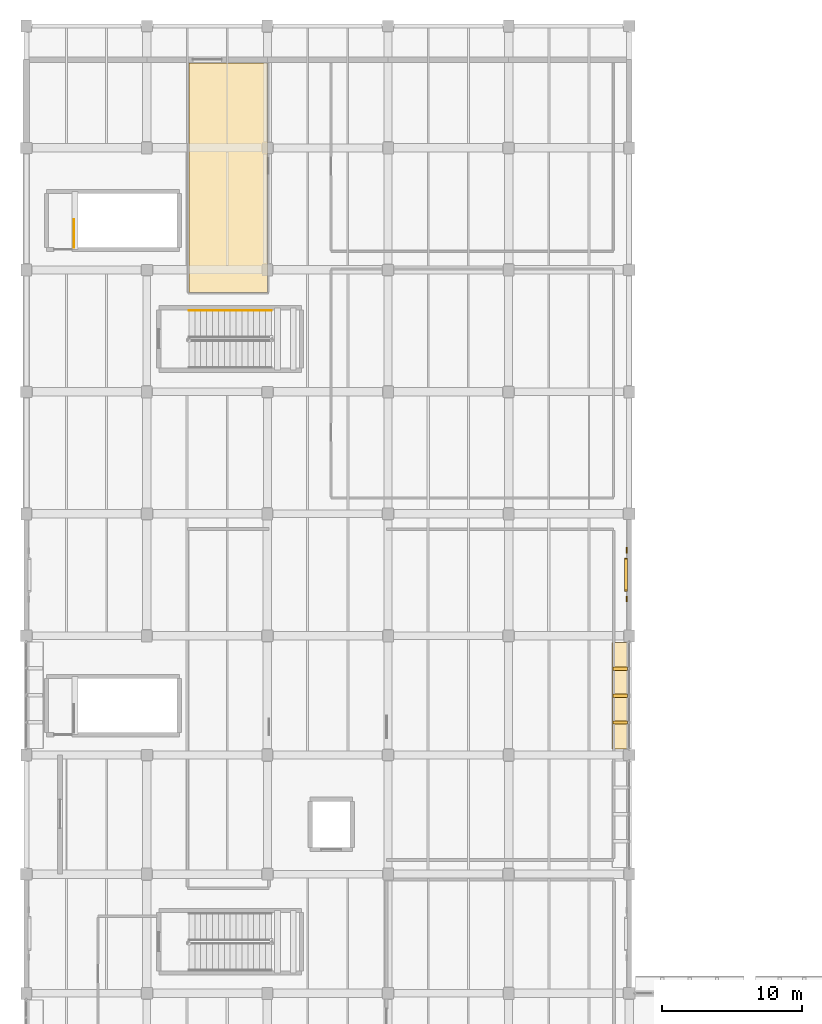
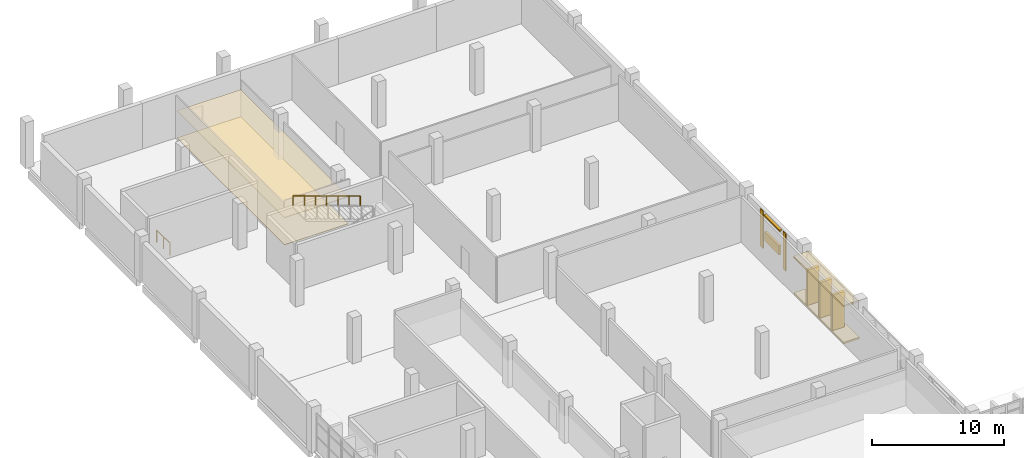
# One storey, part 74 of 76: 6 coverings, 5 shading devices, 2 railings.
"""IFC4 building model written with IfcOpenShell, lengths in metres."""

from ifc_helpers import new_model, si_unit, direction, frame, origin, origin_2d, place, context, subcontext, project, spatial, polyline, rectangle, circle, outline, extrude, material, layer, layer_set, type_object, element, save


model = new_model("IFC4")

# Units and contexts
model_context = context("Model", 3, precision=1e-05, world=origin(), true_north=direction((0.0, 1.0)))
body_context = subcontext(model_context, "Body", "Model", "MODEL_VIEW")
ifc_project = project(units=[si_unit("LENGTHUNIT", "METRE"), si_unit("AREAUNIT", "SQUARE_METRE"), si_unit("VOLUMEUNIT", "CUBIC_METRE"), si_unit("PLANEANGLEUNIT", "RADIAN"), si_unit("MASSUNIT", "GRAM", prefix="KILO")], contexts=[model_context])

# Site, building, storey
site_placement = place(None, origin())
site = spatial("IfcSite", under=ifc_project, at=site_placement, CompositionType="ELEMENT")
building_placement = place(site_placement, origin())
building = spatial("IfcBuilding", under=site, at=building_placement, Name="Varnakota Cinema and Media Centre", CompositionType="ELEMENT")
storey_placement = place(building_placement, origin())
storey = spatial("IfcBuildingStorey", under=building, at=storey_placement, Name="L00", CompositionType="ELEMENT", Elevation=0.0)

# Coverings
ifc_material_1 = material(Name="Autoclaved aerated concrete blockwork", Category="masonry")
ifc_layer_1 = layer(ifc_material_1, 0.06005859375)
ifc_layer_set_1 = layer_set([ifc_layer_1], Name="Autoclaved aerated concrete blockwork")
covering_type_1 = type_object("IfcCoveringType", Name="COV-ACOUST-CEIL-60", PredefinedType="CEILING", material=ifc_layer_set_1)
covering_1_placement = place(storey_placement, frame((0.0, 0.0, 2.5)))
element("IfcCovering", 1, at=covering_1_placement, inside=storey, type_object=covering_type_1, Name="L00 Post-Production Editing Suite Cluster A acoustic baffle ceiling", PredefinedType="CEILING", context=body_context, shape_type="SweptSolid", body=[
    extrude(outline(polyline([(11.60009765625, 94.0), (17.199951171875, 94.0), (17.199951171875, 110.35009765625), (11.60009765625, 110.35009765625), (11.60009765625, 94.0)])), origin(), (0.0, 0.0, 1.0), 0.06005859375),
])
ifc_material_2 = material(Name="Precast concrete M40", Category="concrete")
ifc_layer_2 = layer(ifc_material_2, 0.159912109375)
ifc_layer_set_2 = layer_set([ifc_layer_2], Name="Precast concrete M40")
covering_type_2 = type_object("IfcCoveringType", Name="COV-CHAJJA-160", PredefinedType="CLADDING", material=ifc_layer_set_2)
covering_2_placement = place(storey_placement, frame((0.0, 0.0, 3.425048828125)))
element("IfcCovering", 2, at=covering_2_placement, inside=storey, type_object=covering_type_2, Name="L00 Brutalist chajja overhang V5-E-3", PredefinedType="CLADDING", context=body_context, shape_type="SweptSolid", body=[
    extrude(outline(polyline([(43.179931640625, 61.43994140625), (43.179931640625, 69.034912109375), (41.780029296875, 69.034912109375), (41.780029296875, 61.43994140625), (43.179931640625, 61.43994140625)])), origin(), (0.0, 0.0, 1.0), 0.159912109375),
])
covering_3_placement = place(storey_placement, origin())
element("IfcCovering", 3, at=covering_3_placement, inside=storey, type_object=covering_type_2, Name="L00 brise-soleil base plinth V5-E-3", PredefinedType="CLADDING", context=body_context, shape_type="SweptSolid", body=[
    extrude(outline(polyline([(43.179931640625, 61.43994140625), (43.179931640625, 69.034912109375), (41.820068359375, 69.034912109375), (41.820068359375, 61.43994140625), (43.179931640625, 61.43994140625)])), origin(), (0.0, 0.0, 1.0), 0.159912109375),
])
ifc_material_3 = material(Name="Deccan grey granite ashlar", Category="masonry")
ifc_layer_3 = layer(ifc_material_3, 0.044921875)
ifc_layer_set_3 = layer_set([ifc_layer_3], Name="Deccan grey granite ashlar")
covering_type_3 = type_object("IfcCoveringType", Name="COV-STUDIO-FLR-45", PredefinedType="FLOORING", material=ifc_layer_set_3)
covering_4_placement = place(storey_placement, origin())
element("IfcCovering", 4, at=covering_4_placement, inside=storey, type_object=covering_type_3, Name="L00 Post-Production Editing Suite Cluster A isolated studio floor finish", PredefinedType="FLOORING", context=body_context, shape_type="SweptSolid", body=[
    extrude(outline(polyline([(11.60009765625, 94.0), (17.199951171875, 94.0), (17.199951171875, 110.35009765625), (11.60009765625, 110.35009765625), (11.60009765625, 94.0)])), origin(), (0.0, 0.0, 1.0), 0.044921875),
])
ifc_material_4 = material(Name="Pale Tandur limestone cladding", Category="masonry")
ifc_layer_4 = layer(ifc_material_4, 0.06005859375)
ifc_layer_set_4 = layer_set([ifc_layer_4], Name="Pale Tandur limestone cladding")
covering_type_4 = type_object("IfcCoveringType", Name="COV-TANDUR-ASHLAR-60", PredefinedType="CLADDING", material=ifc_layer_set_4)
for number, where, z_axis, x_axis, name in (
    (5, (42.81494140625, 72.1298828125, 0.06005859375), (0.0, 0.0, 1.0), (0.0, 1.0, 0.0), "L00 acoustic studio stone relief pilaster V5-E-4.1"),
    (6, (42.81494140625, 75.594970703125, 0.06005859375), (0.0, 0.0, 1.0), (0.0, 1.0, 0.0), "L00 acoustic studio stone relief pilaster V5-E-4.2"),
):
    element("IfcCovering", number, at=place(storey_placement, frame(where, z_axis=z_axis, x_axis=x_axis)), inside=storey, type_object=covering_type_4, Name=name, PredefinedType="CLADDING", context=body_context, shape_type="SweptSolid", body=[
        extrude(rectangle(XDim=0.419921875, YDim=0.080078125, at=origin_2d()), origin(), (0.0, 0.0, 1.0), 3.465087890625),
    ])

# Railings
ifc_material_5 = material(Name="Structural steel Grade 350 (E350)", Category="steel")
ifc_layer_5 = layer(ifc_material_5, 0.050048828125)
ifc_layer_set_5 = layer_set([ifc_layer_5], Name="Structural steel Grade 350 (E350)")
railing_type_1 = type_object("IfcRailingType", Name="RAIL-STAIR-GUARD-1150", PredefinedType="GUARDRAIL", material=ifc_layer_set_5)
railing_1_placement = place(storey_placement, frame((3.39990234375, 97.199951171875, 0.0)))
element("IfcRailing", 7, at=railing_1_placement, inside=storey, type_object=railing_type_1, Name="L00 ST-B4 top well guard 1", PredefinedType="GUARDRAIL", context=body_context, shape_type="SweptSolid", body=[
    extrude(circle(Radius=0.02392578125, at=origin_2d()), frame((0.0, 0.0, 1.1259765625), z_axis=(0.0, 1.0, 0.0), x_axis=(-1.0, 0.0, 0.0)), (0.0, 0.0, 1.0), 2.0),
    extrude(circle(Radius=0.02099609375, at=origin_2d()), origin(), (0.0, 0.0, 1.0), 1.101806640625),
    extrude(circle(Radius=0.02099609375, at=origin_2d()), frame((0.0, 1.0, 0.0)), (0.0, 0.0, 1.0), 1.101806640625),
    extrude(circle(Radius=0.02099609375, at=origin_2d()), frame((0.0, 2.0, 0.0)), (0.0, 0.0, 1.0), 1.101806640625),
])
ifc_material_6 = material(Name="Structural steel Grade 350 (E350)", Category="steel")
ifc_layer_6 = layer(ifc_material_6, 0.048095703125)
ifc_layer_set_6 = layer_set([ifc_layer_6], Name="Structural steel Grade 350 (E350)")
railing_type_2 = type_object("IfcRailingType", Name="RAIL-STAIR-HAND-900", PredefinedType="HANDRAIL", material=ifc_layer_set_6)
railing_2_placement = place(storey_placement, frame((17.47998046875, 92.699951171875, 2.39990234375)))
element("IfcRailing", 8, at=railing_2_placement, inside=storey, type_object=railing_type_2, Name="L00 ST-05 stair handrail 2", PredefinedType="HANDRAIL", context=body_context, shape_type="SweptSolid", body=[
    extrude(circle(Radius=0.02392578125, at=origin_2d()), frame((0.0, 0.0, 0.8759765625), z_axis=(-0.941734834084, 0.0, 0.33635621337), x_axis=(0.0, -1.0, 0.0)), (0.0, 0.0, 1.0), 6.24365234375),
    extrude(circle(Radius=0.02099609375, at=origin_2d()), origin(), (0.0, 0.0, 1.0), 0.851806640625),
    extrude(circle(Radius=0.02099609375, at=origin_2d()), frame((-0.97998046875, 0.0, 0.35009765625)), (0.0, 0.0, 1.0), 0.851806640625),
    extrude(circle(Radius=0.02099609375, at=origin_2d()), frame((-1.9599609375, 0.0, 0.699951171875)), (0.0, 0.0, 1.0), 0.851806640625),
    extrude(circle(Radius=0.02099609375, at=origin_2d()), frame((-2.93994140625, 0.0, 1.050048828125)), (0.0, 0.0, 1.0), 0.851806640625),
    extrude(circle(Radius=0.02099609375, at=origin_2d()), frame((-3.919921875, 0.0, 1.400146484375)), (0.0, 0.0, 1.0), 0.851806640625),
    extrude(circle(Radius=0.02099609375, at=origin_2d()), frame((-4.89990234375, 0.0, 1.75)), (0.0, 0.0, 1.0), 0.851806640625),
    extrude(circle(Radius=0.02099609375, at=origin_2d()), frame((-5.8798828125, 0.0, 2.10009765625)), (0.0, 0.0, 1.0), 0.851806640625),
])

# Shading devices
ifc_material_7 = material(Name="Precast concrete M40", Category="concrete")
shading_device_type_1 = type_object("IfcShadingDeviceType", Name="SHD-BRISE-FIN-240", PredefinedType="JALOUSIE", material=ifc_material_7)
for number, where, z_axis, x_axis, name in (
    (9, (42.3701171875, 63.31884765625, 0.14990234375), (0.0, 0.0, 1.0), (0.0, 1.0, 0.0), "L00 vertical concrete brise-soleil fin V5-E-3.1"),
    (10, (42.3701171875, 65.237548828125, 0.14990234375), (0.0, 0.0, 1.0), (0.0, 1.0, 0.0), "L00 vertical concrete brise-soleil fin V5-E-3.2"),
    (11, (42.3701171875, 67.15625, 0.14990234375), (0.0, 0.0, 1.0), (0.0, 1.0, 0.0), "L00 vertical concrete brise-soleil fin V5-E-3.3"),
):
    element("IfcShadingDevice", number, at=place(storey_placement, frame(where, z_axis=z_axis, x_axis=x_axis)), inside=storey, type_object=shading_device_type_1, Name=name, PredefinedType="JALOUSIE", context=body_context, shape_type="SweptSolid", body=[
        extrude(rectangle(XDim=0.239990234375, YDim=1.02001953125, at=origin_2d()), origin(), (0.0, 0.0, 1.0), 3.284912109375),
    ])
ifc_material_8 = material(Name="Precast concrete M40", Category="concrete")
shading_device_type_2 = type_object("IfcShadingDeviceType", Name="SHD-CHAJJA-1050", PredefinedType="AWNING", material=ifc_material_8)
shading_device_1_placement = place(storey_placement, frame((42.77001953125, 73.862548828125, 3.31494140625), z_axis=(0.0, 0.0, 1.0), x_axis=(0.0, 1.0, 0.0)))
element("IfcShadingDevice", 12, at=shading_device_1_placement, inside=storey, type_object=shading_device_type_2, Name="L00 acoustic intake weather hood V5-E-4", PredefinedType="AWNING", context=body_context, shape_type="SweptSolid", body=[
    extrude(rectangle(XDim=2.39990234375, YDim=0.239990234375, at=origin_2d()), origin(), (0.0, 0.0, 1.0), 0.139892578125),
])
ifc_material_9 = material(Name="Precast concrete M40", Category="concrete")
shading_device_type_3 = type_object("IfcShadingDeviceType", Name="SHD-FIN-1050", PredefinedType="JALOUSIE", material=ifc_material_9)
shading_device_2_placement = place(storey_placement, frame((42.77001953125, 73.862548828125, 1.074951171875), z_axis=(0.0, 0.0, 1.0), x_axis=(0.0, 1.0, 0.0)))
element("IfcShadingDevice", 13, at=shading_device_2_placement, inside=storey, type_object=shading_device_type_3, Name="L00 studio acoustic louvre screen V5-E-4", PredefinedType="JALOUSIE", context=body_context, shape_type="SweptSolid", body=[
    extrude(rectangle(XDim=2.199951171875, YDim=0.199951171875, at=origin_2d()), origin(), (0.0, 0.0, 1.0), 0.85009765625),
])

save(model, "model.ifc")
